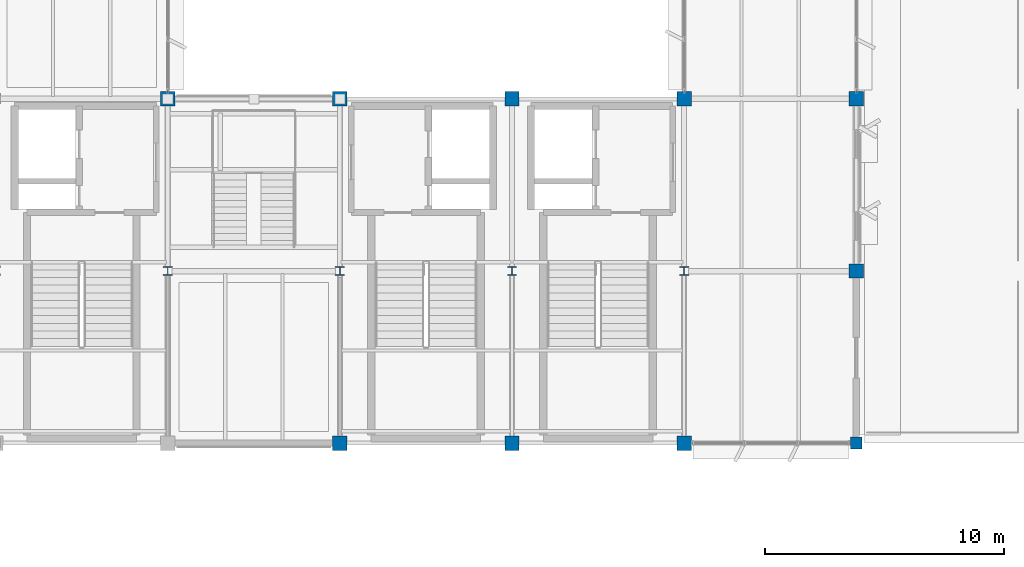
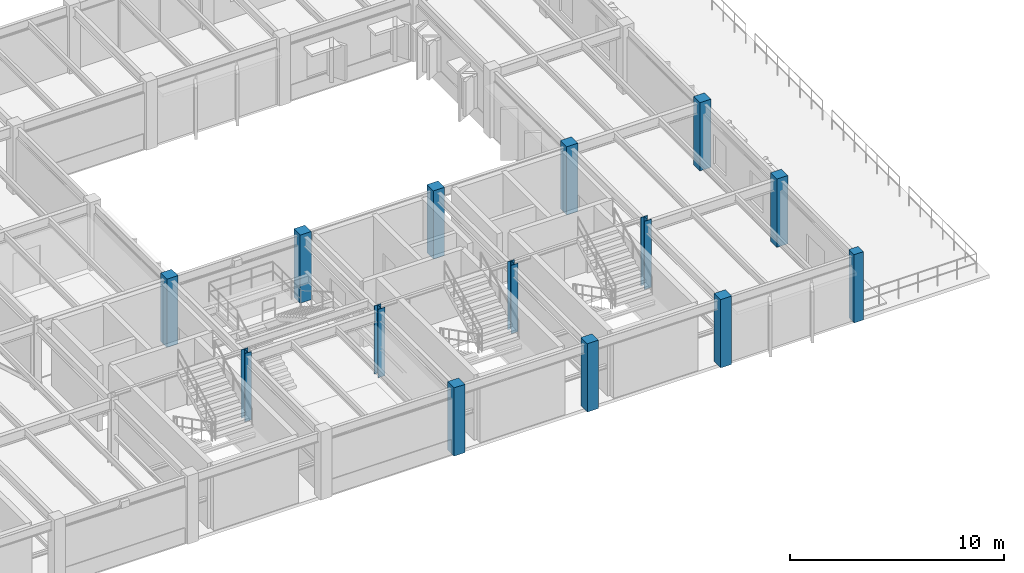
# One storey, part 3 of 35: 14 columns.
"""IFC4 building model written with IfcOpenShell, lengths in metres."""

from ifc_helpers import new_model, si_unit, direction, frame, origin, origin_2d, place, context, subcontext, project, spatial, rectangle, i_section, extrude, material, material_profile, profile_set, type_object, element, save


model = new_model("IFC4")

# Units and contexts
model_context = context("Model", 3, precision=1e-05, world=origin(), true_north=direction((0.0, 1.0)))
body_context = subcontext(model_context, "Body", "Model", "MODEL_VIEW")
ifc_project = project(units=[si_unit("LENGTHUNIT", "METRE"), si_unit("AREAUNIT", "SQUARE_METRE"), si_unit("VOLUMEUNIT", "CUBIC_METRE"), si_unit("PLANEANGLEUNIT", "RADIAN"), si_unit("MASSUNIT", "GRAM", prefix="KILO")], contexts=[model_context])

# Site, building, storey
site_placement = place(None, origin())
site = spatial("IfcSite", under=ifc_project, at=site_placement, CompositionType="ELEMENT")
building_placement = place(site_placement, origin())
building = spatial("IfcBuilding", under=site, at=building_placement, Name="Sillqori Civic Hall", CompositionType="ELEMENT")
storey_placement = place(building_placement, frame((0.0, 0.0, 18.0)))
storey = spatial("IfcBuildingStorey", under=building, at=storey_placement, Name="L05", CompositionType="ELEMENT", Elevation=18.0)

# Columns
ifc_material_1 = material(Name="Concrete C35/45 (H35)", Category="concrete")
ifc_material_profile_1 = material_profile(ifc_material_1, rectangle(XDim=0.5, YDim=0.5, at=origin_2d()), Name="RC 500x500")
ifc_profile_set_1 = profile_set([ifc_material_profile_1], Name="Concrete C35/45 (H35)")
column_type_1 = type_object("IfcColumnType", Name="COL-RC500", PredefinedType="COLUMN", material=ifc_profile_set_1)
column_placement = place(storey_placement, frame((100.800048828125, 79.199951171875, 0.0), z_axis=(0.0, 0.0, 1.0), x_axis=(1.0, 0.0, 0.0)))
element("IfcColumn", 1, at=column_placement, inside=storey, type_object=column_type_1, Name="L05 column 14-11", PredefinedType="COLUMN", context=body_context, shape_type="SweptSolid", body=[
    extrude(rectangle(XDim=0.5, YDim=0.5, at=origin_2d()), origin(), (0.0, 0.0, 1.0), 3.89990234375),
])
ifc_material_profile_2 = material_profile(ifc_material_1, rectangle(XDim=0.60009765625, YDim=0.60009765625, at=origin_2d()), Name="RC 600x600")
ifc_profile_set_2 = profile_set([ifc_material_profile_2], Name="Concrete C35/45 (H35)")
column_type_2 = type_object("IfcColumnType", Name="COL-RC600", PredefinedType="COLUMN", material=ifc_profile_set_2)
for number, where, z_axis, x_axis, name in (
    (2, (72.0, 93.60009765625, 0.0), (0.0, 0.0, 1.0), (1.0, 0.0, 0.0), "L05 column 10-13"),
    (3, (79.199951171875, 79.199951171875, 0.0), (0.0, 0.0, 1.0), (1.0, 0.0, 0.0), "L05 column 11-11"),
    (4, (79.199951171875, 93.60009765625, 0.0), (0.0, 0.0, 1.0), (1.0, 0.0, 0.0), "L05 column 11-13"),
    (5, (86.39990234375, 79.199951171875, 0.0), (0.0, 0.0, 1.0), (1.0, 0.0, 0.0), "L05 column 12-11"),
    (6, (86.39990234375, 93.60009765625, 0.0), (0.0, 0.0, 1.0), (1.0, 0.0, 0.0), "L05 column 12-13"),
    (7, (93.60009765625, 79.199951171875, 0.0), (0.0, 0.0, 1.0), (1.0, 0.0, 0.0), "L05 column 13-11"),
    (8, (93.60009765625, 93.60009765625, 0.0), (0.0, 0.0, 1.0), (1.0, 0.0, 0.0), "L05 column 13-13"),
    (9, (100.800048828125, 86.39990234375, 0.0), (0.0, 0.0, 1.0), (1.0, 0.0, 0.0), "L05 column 14-12"),
    (10, (100.800048828125, 93.60009765625, 0.0), (0.0, 0.0, 1.0), (1.0, 0.0, 0.0), "L05 column 14-13"),
):
    element("IfcColumn", number, at=place(storey_placement, frame(where, z_axis=z_axis, x_axis=x_axis)), inside=storey, type_object=column_type_2, Name=name, PredefinedType="COLUMN", context=body_context, shape_type="SweptSolid", body=[
        extrude(rectangle(XDim=0.60009765625, YDim=0.60009765625, at=origin_2d()), origin(), (0.0, 0.0, 1.0), 3.89990234375),
    ])
ifc_material_2 = material(Name="Steel ASTM A992", Category="steel")
ifc_material_profile_3 = material_profile(ifc_material_2, i_section(OverallWidth=0.373046875, OverallDepth=0.367919921875, WebThickness=0.014892578125, FlangeThickness=0.02392578125, FilletRadius=0.014892578125, at=origin_2d()), Name="W14X120")
ifc_profile_set_3 = profile_set([ifc_material_profile_3], Name="Steel ASTM A992")
column_type_3 = type_object("IfcColumnType", Name="COL-W14X120", PredefinedType="COLUMN", material=ifc_profile_set_3)
for number, where, z_axis, x_axis, name in (
    (11, (72.0, 86.39990234375, 0.0), (0.0, 0.0, 1.0), (1.0, 0.0, 0.0), "L05 column 10-12"),
    (12, (79.199951171875, 86.39990234375, 0.0), (0.0, 0.0, 1.0), (1.0, 0.0, 0.0), "L05 column 11-12"),
    (13, (86.39990234375, 86.39990234375, 0.0), (0.0, 0.0, 1.0), (1.0, 0.0, 0.0), "L05 column 12-12"),
    (14, (93.60009765625, 86.39990234375, 0.0), (0.0, 0.0, 1.0), (1.0, 0.0, 0.0), "L05 column 13-12"),
):
    element("IfcColumn", number, at=place(storey_placement, frame(where, z_axis=z_axis, x_axis=x_axis)), inside=storey, type_object=column_type_3, Name=name, PredefinedType="COLUMN", context=body_context, shape_type="SweptSolid", body=[
        extrude(i_section(OverallWidth=0.373046875, OverallDepth=0.367919921875, WebThickness=0.014892578125, FlangeThickness=0.02392578125, FilletRadius=0.014892578125, at=origin_2d()), origin(), (0.0, 0.0, 1.0), 3.89990234375),
    ])

save(model, "model.ifc")
